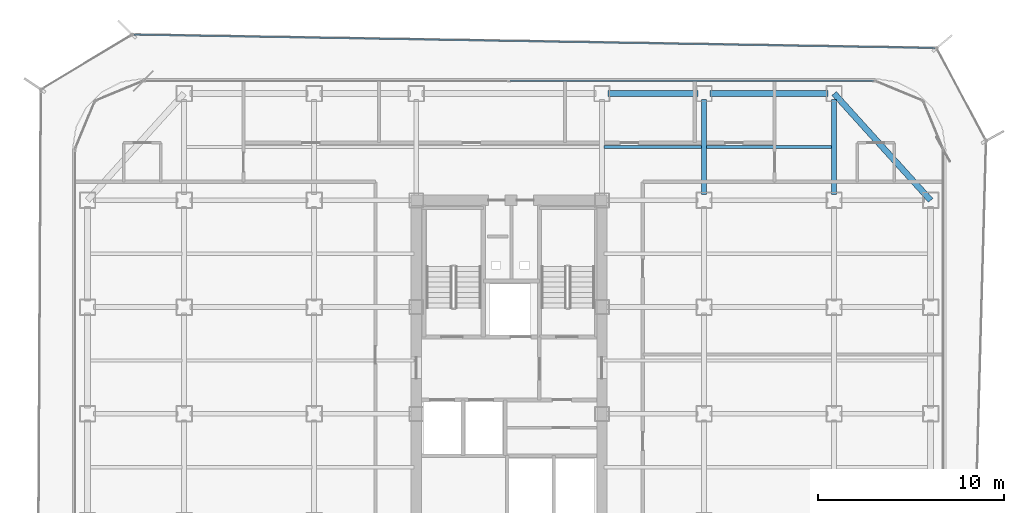
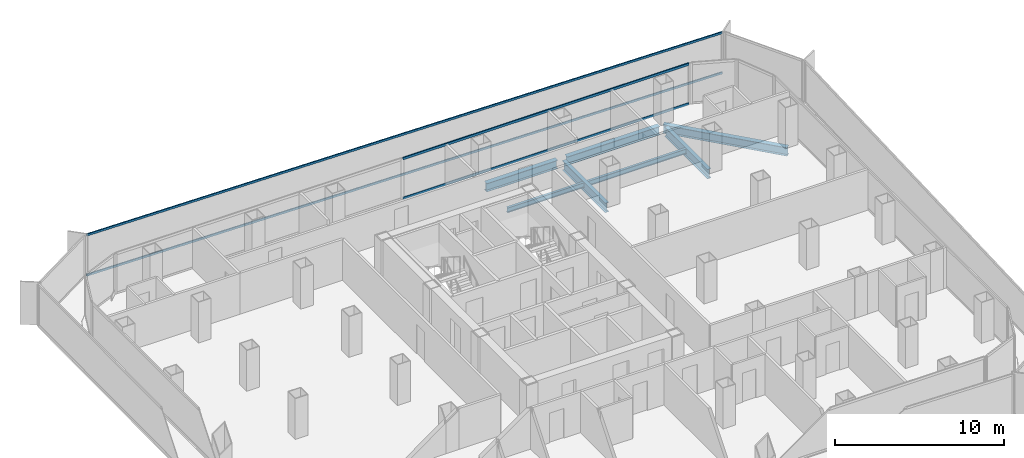
# One storey, part 13 of 21: 7 beams, 4 members, 2 elements without a shape of their own.
"""IFC4 building model written with IfcOpenShell, lengths in metres."""

from ifc_helpers import new_model, si_unit, direction, frame, origin, origin_2d, place, context, subcontext, project, spatial, hollow_rectangle, i_section, extrude, source, transform, mapped, material, layer, layer_set, material_profile, profile_set, type_object, element, aggregate, save


model = new_model("IFC4")

# Units and contexts
model_context = context("Model", 3, precision=1e-05, world=origin(), true_north=direction((0.0, 1.0)))
body_context = subcontext(model_context, "Body", "Model", "MODEL_VIEW")
ifc_project = project(units=[si_unit("LENGTHUNIT", "METRE"), si_unit("AREAUNIT", "SQUARE_METRE"), si_unit("VOLUMEUNIT", "CUBIC_METRE"), si_unit("PLANEANGLEUNIT", "RADIAN"), si_unit("MASSUNIT", "GRAM", prefix="KILO")], contexts=[model_context])

# Site, building, storey
site_placement = place(None, origin())
site = spatial("IfcSite", under=ifc_project, at=site_placement, CompositionType="ELEMENT")
building_placement = place(site_placement, origin())
building = spatial("IfcBuilding", under=site, at=building_placement, Name="Kolveth Station Tower", CompositionType="ELEMENT")
storey_placement = place(building_placement, frame((0.0, 0.0, 102.300048828125)))
storey = spatial("IfcBuildingStorey", under=building, at=storey_placement, Name="L27", CompositionType="ELEMENT", Elevation=102.300048828125)

# Beams
ifc_material_1 = material(Name="Steel S355", Category="steel")
ifc_material_profile_1 = material_profile(ifc_material_1, i_section(OverallWidth=0.323974609375, OverallDepth=0.611083984375, WebThickness=0.0126953125, FlangeThickness=0.01904296875, at=origin_2d()), Name="W610x155")
ifc_profile_set_1 = profile_set([ifc_material_profile_1], Name="Steel S355")
beam_type_1 = type_object("IfcBeamType", Name="Beam_SP2", PredefinedType="SPANDREL", material=ifc_profile_set_1)
shared_shape_1 = source(origin(), body_context, "Body", "SweptSolid", [
    extrude(i_section(OverallWidth=0.323974609375, OverallDepth=0.611083984375, WebThickness=0.0126953125, FlangeThickness=0.01904296875, at=origin_2d()), origin(), (0.0, 0.0, 1.0), 6.35986328125),
])
beam_1_placement = place(storey_placement, frame((34.320068359375, 34.5, -0.5556640625), z_axis=(1.0, 0.0, 0.0), x_axis=(0.0, 1.0, 0.0)))
element("IfcBeam", 1, at=beam_1_placement, inside=storey, type_object=beam_type_1, Name="L27 Perimeter Spandrel BM-L27-PN-5", PredefinedType="SPANDREL", context=body_context, shape_type="MappedRepresentation", body=[
    mapped(shared_shape_1, transform((0.0, 0.0, 0.0), x_axis=(1.0, 0.0, 0.0), y_axis=(0.0, 1.0, 0.0), z_axis=(0.0, 0.0, 1.0), scale=1.0)),
])
shared_shape_2 = source(origin(), body_context, "Body", "SweptSolid", [
    extrude(i_section(OverallWidth=0.323974609375, OverallDepth=0.611083984375, WebThickness=0.0126953125, FlangeThickness=0.01904296875, at=origin_2d()), origin(), (0.0, 0.0, 1.0), 4.85986328125),
])
beam_2_placement = place(storey_placement, frame((28.820068359375, 34.5, -0.5556640625), z_axis=(1.0, 0.0, 0.0), x_axis=(0.0, 1.0, 0.0)))
element("IfcBeam", 2, at=beam_2_placement, inside=storey, type_object=beam_type_1, Name="L27 Perimeter Spandrel BM-L27-PN-4", PredefinedType="SPANDREL", context=body_context, shape_type="MappedRepresentation", body=[
    mapped(shared_shape_2, transform((0.0, 0.0, 0.0), x_axis=(1.0, 0.0, 0.0), y_axis=(0.0, 1.0, 0.0), z_axis=(0.0, 0.0, 1.0), scale=1.0)),
])
shared_shape_3 = source(origin(), body_context, "Body", "SweptSolid", [
    extrude(i_section(OverallWidth=0.323974609375, OverallDepth=0.611083984375, WebThickness=0.0126953125, FlangeThickness=0.01904296875, at=origin_2d()), origin(), (0.0, 0.0, 1.0), 7.75244140625),
])
beam_3_placement = place(storey_placement, frame((46.199951171875, 28.75, -0.5556640625), z_axis=(-0.670740965555, 0.74169168603, 0.0), x_axis=(-0.74169168603, -0.670740965555, 0.0)))
element("IfcBeam", 3, at=beam_3_placement, inside=storey, type_object=beam_type_1, Name="L27 Corner Edge Girder BM-L27-CNR-NE", PredefinedType="SPANDREL", context=body_context, shape_type="MappedRepresentation", body=[
    mapped(shared_shape_3, transform((0.0, 0.0, 0.0), x_axis=(1.0, 0.0, 0.0), y_axis=(0.0, 1.0, 0.0), z_axis=(0.0, 0.0, 1.0), scale=1.0)),
])
ifc_material_profile_2 = material_profile(ifc_material_1, i_section(OverallWidth=0.25390625, OverallDepth=0.68798828125, WebThickness=0.01318359375, FlangeThickness=0.02099609375, at=origin_2d()), Name="W690x152")
ifc_profile_set_2 = profile_set([ifc_material_profile_2], Name="Steel S355")
beam_type_2 = type_object("IfcBeamType", Name="Beam_B4", PredefinedType="BEAM", material=ifc_profile_set_2)
shared_shape_4 = source(origin(), body_context, "Body", "SweptSolid", [
    extrude(i_section(OverallWidth=0.25390625, OverallDepth=0.68798828125, WebThickness=0.01318359375, FlangeThickness=0.02099609375, at=origin_2d()), origin(), (0.0, 0.0, 1.0), 5.10986328125),
])
for number, where, z_axis, x_axis, name in (
    (4, (34.0, 29.070068359375, -0.593994140625), (0.0, 1.0, 0.0), (-1.0, 0.0, 0.0), "L27 Primary Girder BM-L27-GX340-6"),
    (5, (41.0, 29.070068359375, -0.593994140625), (0.0, 1.0, 0.0), (-1.0, 0.0, 0.0), "L27 Primary Girder BM-L27-GX410-6"),
):
    element("IfcBeam", number, at=place(storey_placement, frame(where, z_axis=z_axis, x_axis=x_axis)), inside=storey, type_object=beam_type_2, Name=name, PredefinedType="BEAM", context=body_context, shape_type="MappedRepresentation", body=[
        mapped(shared_shape_4, transform((0.0, 0.0, 0.0), x_axis=(1.0, 0.0, 0.0), y_axis=(0.0, 1.0, 0.0), z_axis=(0.0, 0.0, 1.0), scale=1.0)),
    ])
ifc_material_profile_3 = material_profile(ifc_material_1, i_section(OverallWidth=0.1708984375, OverallDepth=0.35205078125, WebThickness=0.0068359375, FlangeThickness=0.009765625, at=origin_2d()), Name="W360x44")
ifc_profile_set_3 = profile_set([ifc_material_profile_3], Name="Steel S355")
beam_type_3 = type_object("IfcBeamType", Name="Beam_J2", PredefinedType="JOIST", material=ifc_profile_set_3)
shared_shape_5 = source(origin(), body_context, "Body", "SweptSolid", [
    extrude(i_section(OverallWidth=0.1708984375, OverallDepth=0.35205078125, WebThickness=0.0068359375, FlangeThickness=0.009765625, at=origin_2d()), origin(), (0.0, 0.0, 1.0), 6.75),
])
beam_4_placement = place(storey_placement, frame((34.125, 31.625, -0.426025390625), z_axis=(1.0, 0.0, 0.0), x_axis=(0.0, 1.0, 0.0)))
element("IfcBeam", 6, at=beam_4_placement, inside=storey, type_object=beam_type_3, Name="L27 Secondary Joist JST-L27-6-6", PredefinedType="JOIST", context=body_context, shape_type="MappedRepresentation", body=[
    mapped(shared_shape_5, transform((0.0, 0.0, 0.0), x_axis=(1.0, 0.0, 0.0), y_axis=(0.0, 1.0, 0.0), z_axis=(0.0, 0.0, 1.0), scale=1.0)),
])
shared_shape_6 = source(origin(), body_context, "Body", "SweptSolid", [
    extrude(i_section(OverallWidth=0.1708984375, OverallDepth=0.35205078125, WebThickness=0.0068359375, FlangeThickness=0.009765625, at=origin_2d()), origin(), (0.0, 0.0, 1.0), 5.25),
])
beam_5_placement = place(storey_placement, frame((28.625, 31.625, -0.426025390625), z_axis=(1.0, 0.0, 0.0), x_axis=(0.0, 1.0, 0.0)))
element("IfcBeam", 7, at=beam_5_placement, inside=storey, type_object=beam_type_3, Name="L27 Secondary Joist JST-L27-5-6", PredefinedType="JOIST", context=body_context, shape_type="MappedRepresentation", body=[
    mapped(shared_shape_6, transform((0.0, 0.0, 0.0), x_axis=(1.0, 0.0, 0.0), y_axis=(0.0, 1.0, 0.0), z_axis=(0.0, 0.0, 1.0), scale=1.0)),
])

# Curtain wall, members
ifc_material_2 = material(Name="Aluminium 6063-T6 and low-E dark glass", Category="aluminium")
ifc_layer_1 = layer(ifc_material_2, 0.18994140625)
ifc_layer_set_1 = layer_set([ifc_layer_1], Name="Aluminium 6063-T6 and low-E dark glass")
curtain_wall_type_1 = type_object("IfcCurtainWallType", Name="CurtainWall_CW-Z2", PredefinedType="NOTDEFINED", material=ifc_layer_set_1)
curtain_wall_1_placement = place(storey_placement, origin())
curtain_wall_1 = element("IfcCurtainWall", 8, at=curtain_wall_1_placement, inside=storey, type_object=curtain_wall_type_1, Name="L27 Inner Thermal Curtain Wall 6", PredefinedType="NOTDEFINED")
ifc_material_3 = material(Name="Black anodized aluminium 6063-T6", Category="aluminium")
ifc_material_profile_4 = material_profile(ifc_material_3, hollow_rectangle(XDim=0.080078125, YDim=0.169921875, WallThickness=0.0048828125, at=origin_2d()), Name="ALU-80x170x5")
ifc_profile_set_4 = profile_set([ifc_material_profile_4], Name="Black anodized aluminium 6063-T6")
member_type_1 = type_object("IfcMemberType", Name="Transom_TR2", PredefinedType="USERDEFINED", material=ifc_profile_set_4)
shared_shape_7 = source(origin(), body_context, "Body", "SweptSolid", [
    extrude(hollow_rectangle(XDim=0.080078125, YDim=0.169921875, WallThickness=0.0048828125, at=origin_2d()), origin(), (0.0, 0.0, 1.0), 19.580078125),
])
member_1_placement = place(storey_placement, frame((43.1201171875, 35.179931640625, 0.0400390625), z_axis=(-1.0, 0.0, 0.0), x_axis=(0.0, -1.0, 0.0)))
member_1 = element("IfcMember", 9, at=member_1_placement, type_object=member_type_1, Name="CW-Z2 transom 1.1", ObjectType="TRANSOM", PredefinedType="USERDEFINED", context=body_context, shape_type="MappedRepresentation", body=[
    mapped(shared_shape_7, transform((0.0, 0.0, 0.0), x_axis=(1.0, 0.0, 0.0), y_axis=(0.0, 1.0, 0.0), z_axis=(0.0, 0.0, 1.0), scale=1.0)),
])
member_2_placement = place(storey_placement, frame((43.1201171875, 35.179931640625, 2.909912109375), z_axis=(-1.0, 0.0, 0.0), x_axis=(0.0, -1.0, 0.0)))
member_2 = element("IfcMember", 10, at=member_2_placement, type_object=member_type_1, Name="CW-Z2 transom 1.2", ObjectType="TRANSOM", PredefinedType="USERDEFINED", context=body_context, shape_type="MappedRepresentation", body=[
    mapped(shared_shape_7, transform((0.0, 0.0, 0.0), x_axis=(1.0, 0.0, 0.0), y_axis=(0.0, 1.0, 0.0), z_axis=(0.0, 0.0, 1.0), scale=1.0)),
])
aggregate(curtain_wall_1, [member_1, member_2])

ifc_material_4 = material(Name="Black anodized aluminium 6063-T6 and dark solar glass", Category="aluminium")
ifc_layer_2 = layer(ifc_material_4, 0.159912109375)
ifc_layer_set_2 = layer_set([ifc_layer_2], Name="Black anodized aluminium 6063-T6 and dark solar glass")
curtain_wall_type_2 = type_object("IfcCurtainWallType", Name="OUTER SKIN CW-OS", PredefinedType="NOTDEFINED", material=ifc_layer_set_2)
curtain_wall_2_placement = place(storey_placement, origin())
curtain_wall_2 = element("IfcCurtainWall", 11, at=curtain_wall_2_placement, inside=storey, type_object=curtain_wall_type_2, Name="L27 Outer Ventilated Skin Curtain Wall 4", PredefinedType="NOTDEFINED")
ifc_material_profile_5 = material_profile(ifc_material_3, hollow_rectangle(XDim=0.080078125, YDim=0.14990234375, WallThickness=0.0048828125, at=origin_2d()), Name="ALU-80x150x5")
ifc_profile_set_5 = profile_set([ifc_material_profile_5], Name="Black anodized aluminium 6063-T6")
member_type_2 = type_object("IfcMemberType", Name="Transom_TR-OS", PredefinedType="USERDEFINED", material=ifc_profile_set_5)
shared_shape_8 = source(origin(), body_context, "Body", "SweptSolid", [
    extrude(hollow_rectangle(XDim=0.080078125, YDim=0.14990234375, WallThickness=0.0048828125, at=origin_2d()), origin(), (0.0, 0.0, 1.0), 43.141357421875),
])
member_3_placement = place(storey_placement, frame((46.43408203125, 36.950439453125, 0.0400390625), z_axis=(-0.999860356313, 0.016711309767, 0.0), x_axis=(-0.016711309767, -0.999860356313, 0.0)))
member_3 = element("IfcMember", 12, at=member_3_placement, type_object=member_type_2, Name="CW-OS transom 1.1", ObjectType="TRANSOM", PredefinedType="USERDEFINED", context=body_context, shape_type="MappedRepresentation", body=[
    mapped(shared_shape_8, transform((0.0, 0.0, 0.0), x_axis=(1.0, 0.0, 0.0), y_axis=(0.0, 1.0, 0.0), z_axis=(0.0, 0.0, 1.0), scale=1.0)),
])
member_4_placement = place(storey_placement, frame((46.43408203125, 36.950439453125, 2.949951171875), z_axis=(-0.999860356313, 0.016711309767, 0.0), x_axis=(-0.016711309767, -0.999860356313, 0.0)))
member_4 = element("IfcMember", 13, at=member_4_placement, type_object=member_type_2, Name="CW-OS transom 1.2", ObjectType="TRANSOM", PredefinedType="USERDEFINED", context=body_context, shape_type="MappedRepresentation", body=[
    mapped(shared_shape_8, transform((0.0, 0.0, 0.0), x_axis=(1.0, 0.0, 0.0), y_axis=(0.0, 1.0, 0.0), z_axis=(0.0, 0.0, 1.0), scale=1.0)),
])
aggregate(curtain_wall_2, [member_3, member_4])

save(model, "model.ifc")
